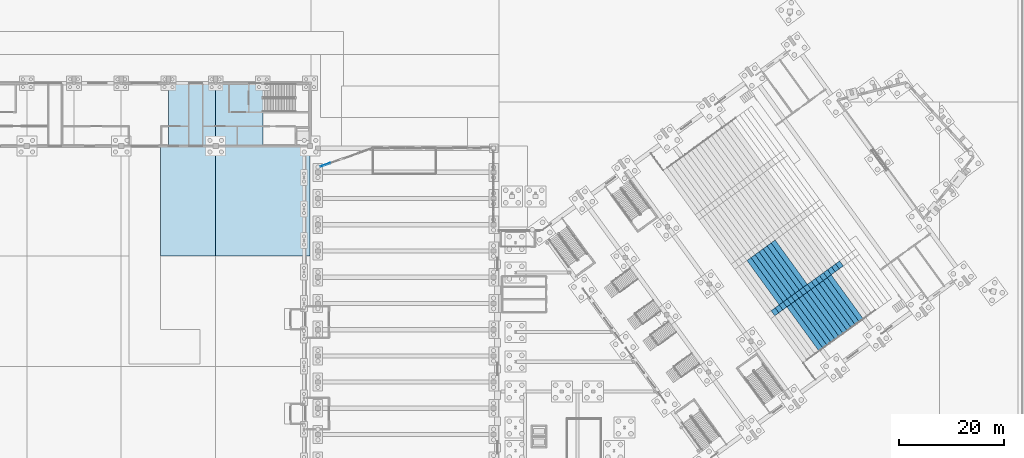
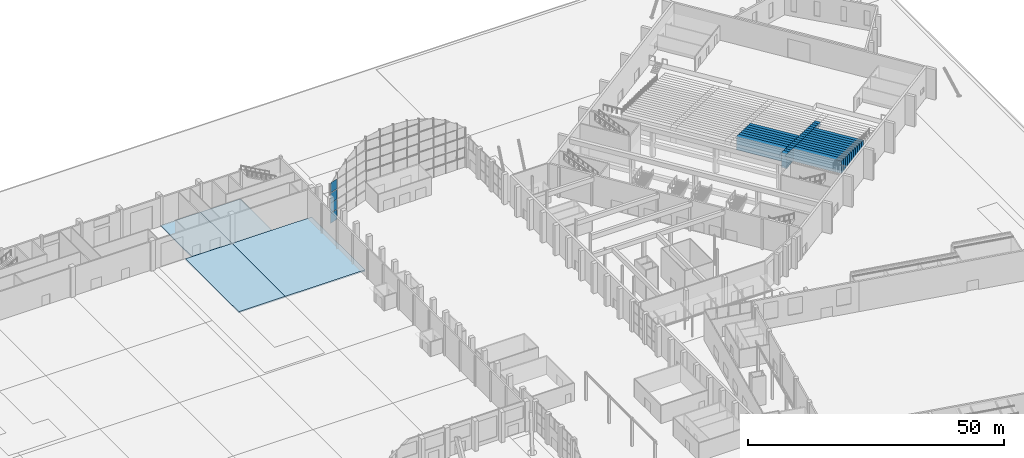
# One storey, part 158 of 239: 39 slabs, 4 plates, 1 element without a shape of its own.
"""IFC4 building model written with IfcOpenShell, lengths in metres."""

from ifc_helpers import new_model, si_unit, direction, frame, origin, place, context, subcontext, project, spatial, polyline, outline, extrude, material, layer, layer_set, type_object, element, aggregate, save


model = new_model("IFC4")

# Units and contexts
model_context = context("Model", 3, precision=1e-05, world=origin(), true_north=direction((0.0, 1.0)))
body_context = subcontext(model_context, "Body", "Model", "MODEL_VIEW")
ifc_project = project(units=[si_unit("LENGTHUNIT", "METRE"), si_unit("AREAUNIT", "SQUARE_METRE"), si_unit("VOLUMEUNIT", "CUBIC_METRE"), si_unit("PLANEANGLEUNIT", "RADIAN"), si_unit("MASSUNIT", "GRAM", prefix="KILO")], contexts=[model_context])

# Site, building, storey
site_placement = place(None, origin())
site = spatial("IfcSite", under=ifc_project, at=site_placement, CompositionType="ELEMENT")
building_placement = place(site_placement, origin())
building = spatial("IfcBuilding", under=site, at=building_placement, Name="Okhra Congress Centre", CompositionType="ELEMENT")
storey_placement = place(building_placement, origin())
storey = spatial("IfcBuildingStorey", under=building, at=storey_placement, Name="L00", CompositionType="ELEMENT", Elevation=0.0)

# Slabs
ifc_material_1 = material(Name="Precast concrete C40/50", Category="concrete")
slab_type_1 = type_object("IfcSlabType", Name="Precast RC stalls aisle step unit C40/50", PredefinedType="FLOOR", material=ifc_material_1)
slab_1_placement = place(storey_placement, origin())
element("IfcSlab", 1, at=slab_1_placement, inside=storey, type_object=slab_type_1, Name="Stalls aisle step unit 5.2", PredefinedType="FLOOR", context=body_context, shape_type="SweptSolid", body=[
    extrude(outline(polyline([(254.917236328125, 192.58203125), (255.685791015625, 193.140380859375), (254.980224609375, 194.111083984375), (254.211669921875, 193.552734375), (254.917236328125, 192.58203125)])), origin(), (0.0, 0.0, 1.0), 0.818115234375),
])
slab_2_placement = place(storey_placement, origin())
element("IfcSlab", 2, at=slab_2_placement, inside=storey, type_object=slab_type_1, Name="Stalls aisle step unit 6.2", PredefinedType="FLOOR", context=body_context, shape_type="SweptSolid", body=[
    extrude(outline(polyline([(254.1484375, 192.0234375), (254.917236328125, 192.58203125), (254.211669921875, 193.552734375), (253.443115234375, 192.994384765625), (254.1484375, 192.0234375)])), origin(), (0.0, 0.0, 1.0), 0.98193359375),
])
slab_3_placement = place(storey_placement, origin())
element("IfcSlab", 3, at=slab_3_placement, inside=storey, type_object=slab_type_1, Name="Stalls aisle step unit 7.2", PredefinedType="FLOOR", context=body_context, shape_type="SweptSolid", body=[
    extrude(outline(polyline([(253.3798828125, 191.465087890625), (254.1484375, 192.0234375), (253.443115234375, 192.994384765625), (252.674560546875, 192.43603515625), (253.3798828125, 191.465087890625)])), origin(), (0.0, 0.0, 1.0), 1.1455078125),
])
slab_4_placement = place(storey_placement, origin())
element("IfcSlab", 4, at=slab_4_placement, inside=storey, type_object=slab_type_1, Name="Stalls aisle step unit 8.2", PredefinedType="FLOOR", context=body_context, shape_type="SweptSolid", body=[
    extrude(outline(polyline([(252.611328125, 190.90673828125), (253.3798828125, 191.465087890625), (252.674560546875, 192.43603515625), (251.906005859375, 191.87744140625), (252.611328125, 190.90673828125)])), origin(), (0.0, 0.0, 1.0), 1.30908203125),
])
slab_5_placement = place(storey_placement, origin())
element("IfcSlab", 5, at=slab_5_placement, inside=storey, type_object=slab_type_1, Name="Stalls aisle step unit 9.2", PredefinedType="FLOOR", context=body_context, shape_type="SweptSolid", body=[
    extrude(outline(polyline([(251.8427734375, 190.348388671875), (252.611328125, 190.90673828125), (251.906005859375, 191.87744140625), (251.137451171875, 191.319091796875), (251.8427734375, 190.348388671875)])), origin(), (0.0, 0.0, 1.0), 1.47265625),
])
slab_6_placement = place(storey_placement, origin())
element("IfcSlab", 6, at=slab_6_placement, inside=storey, type_object=slab_type_1, Name="Stalls aisle step unit 10.2", PredefinedType="FLOOR", context=body_context, shape_type="SweptSolid", body=[
    extrude(outline(polyline([(251.07421875, 189.7900390625), (251.8427734375, 190.348388671875), (251.137451171875, 191.319091796875), (250.368896484375, 190.7607421875), (251.07421875, 189.7900390625)])), origin(), (0.0, 0.0, 1.0), 1.636474609375),
])
slab_7_placement = place(storey_placement, origin())
element("IfcSlab", 7, at=slab_7_placement, inside=storey, type_object=slab_type_1, Name="Stalls aisle step unit 11.2", PredefinedType="FLOOR", context=body_context, shape_type="SweptSolid", body=[
    extrude(outline(polyline([(250.3056640625, 189.2314453125), (251.07421875, 189.7900390625), (250.368896484375, 190.7607421875), (249.600341796875, 190.202392578125), (250.3056640625, 189.2314453125)])), origin(), (0.0, 0.0, 1.0), 1.800048828125),
])
slab_8_placement = place(storey_placement, origin())
element("IfcSlab", 8, at=slab_8_placement, inside=storey, type_object=slab_type_1, Name="Stalls aisle step unit 12.2", PredefinedType="FLOOR", context=body_context, shape_type="SweptSolid", body=[
    extrude(outline(polyline([(249.537109375, 188.673095703125), (250.3056640625, 189.2314453125), (249.600341796875, 190.202392578125), (248.831787109375, 189.64404296875), (249.537109375, 188.673095703125)])), origin(), (0.0, 0.0, 1.0), 1.963623046875),
])
slab_9_placement = place(storey_placement, origin())
element("IfcSlab", 9, at=slab_9_placement, inside=storey, type_object=slab_type_1, Name="Stalls aisle step unit 13.2", PredefinedType="FLOOR", context=body_context, shape_type="SweptSolid", body=[
    extrude(outline(polyline([(248.7685546875, 188.11474609375), (249.537109375, 188.673095703125), (248.831787109375, 189.64404296875), (248.063232421875, 189.08544921875), (248.7685546875, 188.11474609375)])), origin(), (0.0, 0.0, 1.0), 2.127197265625),
])
slab_10_placement = place(storey_placement, origin())
element("IfcSlab", 10, at=slab_10_placement, inside=storey, type_object=slab_type_1, Name="Stalls aisle step unit 14.2", PredefinedType="FLOOR", context=body_context, shape_type="SweptSolid", body=[
    extrude(outline(polyline([(248.0, 187.556396484375), (248.7685546875, 188.11474609375), (248.063232421875, 189.08544921875), (247.294677734375, 188.527099609375), (248.0, 187.556396484375)])), origin(), (0.0, 0.0, 1.0), 2.291015625),
])
slab_11_placement = place(storey_placement, origin())
element("IfcSlab", 11, at=slab_11_placement, inside=storey, type_object=slab_type_1, Name="Stalls aisle step unit 15.2", PredefinedType="FLOOR", context=body_context, shape_type="SweptSolid", body=[
    extrude(outline(polyline([(247.2314453125, 186.998046875), (248.0, 187.556396484375), (247.294677734375, 188.527099609375), (246.526123046875, 187.96875), (247.2314453125, 186.998046875)])), origin(), (0.0, 0.0, 1.0), 2.45458984375),
])
slab_12_placement = place(storey_placement, origin())
element("IfcSlab", 12, at=slab_12_placement, inside=storey, type_object=slab_type_1, Name="Stalls aisle step unit 16.2", PredefinedType="FLOOR", context=body_context, shape_type="SweptSolid", body=[
    extrude(outline(polyline([(246.462890625, 186.439453125), (247.2314453125, 186.998046875), (246.526123046875, 187.96875), (245.757568359375, 187.410400390625), (246.462890625, 186.439453125)])), origin(), (0.0, 0.0, 1.0), 2.6181640625),
])
slab_13_placement = place(storey_placement, origin())
element("IfcSlab", 13, at=slab_13_placement, inside=storey, type_object=slab_type_1, Name="Stalls aisle step unit 17.2", PredefinedType="FLOOR", context=body_context, shape_type="SweptSolid", body=[
    extrude(outline(polyline([(245.6943359375, 185.881103515625), (246.462890625, 186.439453125), (245.757568359375, 187.410400390625), (244.989013671875, 186.85205078125), (245.6943359375, 185.881103515625)])), origin(), (0.0, 0.0, 1.0), 2.78173828125),
])
slab_14_placement = place(storey_placement, origin())
element("IfcSlab", 14, at=slab_14_placement, inside=storey, type_object=slab_type_1, Name="Stalls aisle step unit 18.2", PredefinedType="FLOOR", context=body_context, shape_type="SweptSolid", body=[
    extrude(outline(polyline([(244.92578125, 185.32275390625), (245.6943359375, 185.881103515625), (244.989013671875, 186.85205078125), (244.220458984375, 186.293701171875), (244.92578125, 185.32275390625)])), origin(), (0.0, 0.0, 1.0), 2.945556640625),
])
slab_15_placement = place(storey_placement, origin())
element("IfcSlab", 15, at=slab_15_placement, inside=storey, type_object=slab_type_1, Name="Stalls aisle step unit 19.2", PredefinedType="FLOOR", context=body_context, shape_type="SweptSolid", body=[
    extrude(outline(polyline([(244.1572265625, 184.764404296875), (244.92578125, 185.32275390625), (244.220458984375, 186.293701171875), (243.451904296875, 185.735107421875), (244.1572265625, 184.764404296875)])), origin(), (0.0, 0.0, 1.0), 3.109130859375),
])
slab_16_placement = place(storey_placement, origin())
element("IfcSlab", 16, at=slab_16_placement, inside=storey, type_object=slab_type_1, Name="Stalls aisle step unit 20.2", PredefinedType="FLOOR", context=body_context, shape_type="SweptSolid", body=[
    extrude(outline(polyline([(243.388671875, 184.2060546875), (244.1572265625, 184.764404296875), (243.451904296875, 185.735107421875), (242.683349609375, 185.1767578125), (243.388671875, 184.2060546875)])), origin(), (0.0, 0.0, 1.0), 3.272705078125),
])
slab_17_placement = place(storey_placement, origin())
element("IfcSlab", 17, at=slab_17_placement, inside=storey, type_object=slab_type_1, Name="Stalls aisle step unit 21.2", PredefinedType="FLOOR", context=body_context, shape_type="SweptSolid", body=[
    extrude(outline(polyline([(242.6201171875, 183.6474609375), (243.388671875, 184.2060546875), (242.683349609375, 185.1767578125), (241.914794921875, 184.618408203125), (242.6201171875, 183.6474609375)])), origin(), (0.0, 0.0, 1.0), 3.436279296875),
])
ifc_material_2 = material(Name="Precast concrete C35/45", Category="concrete")
slab_type_2 = type_object("IfcSlabType", Name="Precast RC stalls seat-row step unit C35/45", PredefinedType="FLOOR", material=ifc_material_2)
slab_18_placement = place(storey_placement, origin())
element("IfcSlab", 18, at=slab_18_placement, inside=storey, type_object=slab_type_2, Name="Stalls seat-row step unit 8.1", PredefinedType="FLOOR", context=body_context, shape_type="SweptSolid", body=[
    extrude(outline(polyline([(258.753662109375, 182.452392578125), (259.5224609375, 183.010986328125), (253.3798828125, 191.465087890625), (252.611328125, 190.90673828125), (258.753662109375, 182.452392578125)])), origin(), (0.0, 0.0, 1.0), 1.30908203125),
])
slab_19_placement = place(storey_placement, origin())
element("IfcSlab", 19, at=slab_19_placement, inside=storey, type_object=slab_type_2, Name="Stalls seat-row step unit 9.1", PredefinedType="FLOOR", context=body_context, shape_type="SweptSolid", body=[
    extrude(outline(polyline([(257.985107421875, 181.89404296875), (258.753662109375, 182.452392578125), (252.611328125, 190.90673828125), (251.8427734375, 190.348388671875), (257.985107421875, 181.89404296875)])), origin(), (0.0, 0.0, 1.0), 1.47265625),
])
slab_20_placement = place(storey_placement, origin())
element("IfcSlab", 20, at=slab_20_placement, inside=storey, type_object=slab_type_2, Name="Stalls seat-row step unit 10.1", PredefinedType="FLOOR", context=body_context, shape_type="SweptSolid", body=[
    extrude(outline(polyline([(257.216552734375, 181.335693359375), (257.985107421875, 181.89404296875), (251.8427734375, 190.348388671875), (251.07421875, 189.7900390625), (257.216552734375, 181.335693359375)])), origin(), (0.0, 0.0, 1.0), 1.636474609375),
])
slab_21_placement = place(storey_placement, origin())
element("IfcSlab", 21, at=slab_21_placement, inside=storey, type_object=slab_type_2, Name="Stalls seat-row step unit 11.1", PredefinedType="FLOOR", context=body_context, shape_type="SweptSolid", body=[
    extrude(outline(polyline([(256.447998046875, 180.77734375), (257.216552734375, 181.335693359375), (251.07421875, 189.7900390625), (250.3056640625, 189.2314453125), (256.447998046875, 180.77734375)])), origin(), (0.0, 0.0, 1.0), 1.800048828125),
])
slab_22_placement = place(storey_placement, origin())
element("IfcSlab", 22, at=slab_22_placement, inside=storey, type_object=slab_type_2, Name="Stalls seat-row step unit 12.1", PredefinedType="FLOOR", context=body_context, shape_type="SweptSolid", body=[
    extrude(outline(polyline([(255.679443359375, 180.218994140625), (256.447998046875, 180.77734375), (250.3056640625, 189.2314453125), (249.537109375, 188.673095703125), (255.679443359375, 180.218994140625)])), origin(), (0.0, 0.0, 1.0), 1.963623046875),
])
slab_23_placement = place(storey_placement, origin())
element("IfcSlab", 23, at=slab_23_placement, inside=storey, type_object=slab_type_2, Name="Stalls seat-row step unit 13.1", PredefinedType="FLOOR", context=body_context, shape_type="SweptSolid", body=[
    extrude(outline(polyline([(254.910888671875, 179.66064453125), (255.679443359375, 180.218994140625), (249.537109375, 188.673095703125), (248.7685546875, 188.11474609375), (254.910888671875, 179.66064453125)])), origin(), (0.0, 0.0, 1.0), 2.127197265625),
])
slab_24_placement = place(storey_placement, origin())
element("IfcSlab", 24, at=slab_24_placement, inside=storey, type_object=slab_type_2, Name="Stalls seat-row step unit 13.3", PredefinedType="FLOOR", context=body_context, shape_type="SweptSolid", body=[
    extrude(outline(polyline([(248.063232421875, 189.08544921875), (248.831787109375, 189.64404296875), (242.689453125, 198.09814453125), (241.9208984375, 197.539794921875), (248.063232421875, 189.08544921875)])), origin(), (0.0, 0.0, 1.0), 2.127197265625),
])
slab_25_placement = place(storey_placement, origin())
element("IfcSlab", 25, at=slab_25_placement, inside=storey, type_object=slab_type_2, Name="Stalls seat-row step unit 14.1", PredefinedType="FLOOR", context=body_context, shape_type="SweptSolid", body=[
    extrude(outline(polyline([(254.142333984375, 179.10205078125), (254.910888671875, 179.66064453125), (248.7685546875, 188.11474609375), (248.0, 187.556396484375), (254.142333984375, 179.10205078125)])), origin(), (0.0, 0.0, 1.0), 2.291015625),
])
slab_26_placement = place(storey_placement, origin())
element("IfcSlab", 26, at=slab_26_placement, inside=storey, type_object=slab_type_2, Name="Stalls seat-row step unit 14.3", PredefinedType="FLOOR", context=body_context, shape_type="SweptSolid", body=[
    extrude(outline(polyline([(247.294677734375, 188.527099609375), (248.063232421875, 189.08544921875), (241.9208984375, 197.539794921875), (241.15234375, 196.9814453125), (247.294677734375, 188.527099609375)])), origin(), (0.0, 0.0, 1.0), 2.291015625),
])
slab_27_placement = place(storey_placement, origin())
element("IfcSlab", 27, at=slab_27_placement, inside=storey, type_object=slab_type_2, Name="Stalls seat-row step unit 15.1", PredefinedType="FLOOR", context=body_context, shape_type="SweptSolid", body=[
    extrude(outline(polyline([(253.373779296875, 178.543701171875), (254.142333984375, 179.10205078125), (248.0, 187.556396484375), (247.2314453125, 186.998046875), (253.373779296875, 178.543701171875)])), origin(), (0.0, 0.0, 1.0), 2.45458984375),
])
slab_28_placement = place(storey_placement, origin())
element("IfcSlab", 28, at=slab_28_placement, inside=storey, type_object=slab_type_2, Name="Stalls seat-row step unit 15.3", PredefinedType="FLOOR", context=body_context, shape_type="SweptSolid", body=[
    extrude(outline(polyline([(246.526123046875, 187.96875), (247.294677734375, 188.527099609375), (241.15234375, 196.9814453125), (240.3837890625, 196.423095703125), (246.526123046875, 187.96875)])), origin(), (0.0, 0.0, 1.0), 2.45458984375),
])
slab_29_placement = place(storey_placement, origin())
element("IfcSlab", 29, at=slab_29_placement, inside=storey, type_object=slab_type_2, Name="Stalls seat-row step unit 16.1", PredefinedType="FLOOR", context=body_context, shape_type="SweptSolid", body=[
    extrude(outline(polyline([(252.605224609375, 177.9853515625), (253.373779296875, 178.543701171875), (247.2314453125, 186.998046875), (246.462890625, 186.439453125), (252.605224609375, 177.9853515625)])), origin(), (0.0, 0.0, 1.0), 2.6181640625),
])
slab_30_placement = place(storey_placement, origin())
element("IfcSlab", 30, at=slab_30_placement, inside=storey, type_object=slab_type_2, Name="Stalls seat-row step unit 16.3", PredefinedType="FLOOR", context=body_context, shape_type="SweptSolid", body=[
    extrude(outline(polyline([(245.757568359375, 187.410400390625), (246.526123046875, 187.96875), (240.3837890625, 196.423095703125), (239.615234375, 195.864501953125), (245.757568359375, 187.410400390625)])), origin(), (0.0, 0.0, 1.0), 2.6181640625),
])
slab_31_placement = place(storey_placement, origin())
element("IfcSlab", 31, at=slab_31_placement, inside=storey, type_object=slab_type_2, Name="Stalls seat-row step unit 17.1", PredefinedType="FLOOR", context=body_context, shape_type="SweptSolid", body=[
    extrude(outline(polyline([(251.836669921875, 177.427001953125), (252.605224609375, 177.9853515625), (246.462890625, 186.439453125), (245.6943359375, 185.881103515625), (251.836669921875, 177.427001953125)])), origin(), (0.0, 0.0, 1.0), 2.78173828125),
])
slab_32_placement = place(storey_placement, origin())
element("IfcSlab", 32, at=slab_32_placement, inside=storey, type_object=slab_type_2, Name="Stalls seat-row step unit 17.3", PredefinedType="FLOOR", context=body_context, shape_type="SweptSolid", body=[
    extrude(outline(polyline([(244.989013671875, 186.85205078125), (245.757568359375, 187.410400390625), (239.615234375, 195.864501953125), (238.8466796875, 195.30615234375), (244.989013671875, 186.85205078125)])), origin(), (0.0, 0.0, 1.0), 2.78173828125),
])
slab_33_placement = place(storey_placement, origin())
element("IfcSlab", 33, at=slab_33_placement, inside=storey, type_object=slab_type_2, Name="Stalls seat-row step unit 18.1", PredefinedType="FLOOR", context=body_context, shape_type="SweptSolid", body=[
    extrude(outline(polyline([(251.068115234375, 176.86865234375), (251.836669921875, 177.427001953125), (245.6943359375, 185.881103515625), (244.92578125, 185.32275390625), (251.068115234375, 176.86865234375)])), origin(), (0.0, 0.0, 1.0), 2.945556640625),
])
slab_34_placement = place(storey_placement, origin())
element("IfcSlab", 34, at=slab_34_placement, inside=storey, type_object=slab_type_2, Name="Stalls seat-row step unit 18.3", PredefinedType="FLOOR", context=body_context, shape_type="SweptSolid", body=[
    extrude(outline(polyline([(244.220458984375, 186.293701171875), (244.989013671875, 186.85205078125), (238.8466796875, 195.30615234375), (238.078125, 194.747802734375), (244.220458984375, 186.293701171875)])), origin(), (0.0, 0.0, 1.0), 2.945556640625),
])
slab_35_placement = place(storey_placement, origin())
element("IfcSlab", 35, at=slab_35_placement, inside=storey, type_object=slab_type_2, Name="Stalls seat-row step unit 19.3", PredefinedType="FLOOR", context=body_context, shape_type="SweptSolid", body=[
    extrude(outline(polyline([(243.451904296875, 185.735107421875), (244.220458984375, 186.293701171875), (238.078125, 194.747802734375), (237.3095703125, 194.189453125), (243.451904296875, 185.735107421875)])), origin(), (0.0, 0.0, 1.0), 3.109130859375),
])
ifc_material_3 = material(Name="Concrete C25/30", Category="concrete")
ifc_layer_1 = layer(ifc_material_3, 0.300048828125)
ifc_layer_set_1 = layer_set([ifc_layer_1], Name="RC ground slab 300 C25/30")
slab_type_3 = type_object("IfcSlabType", Name="RC ground slab 300 C25/30", PredefinedType="BASESLAB", material=ifc_layer_set_1)
slab_36_placement = place(storey_placement, frame((0.0, 0.0, -0.300048828125)))
element("IfcSlab", 36, at=slab_36_placement, inside=storey, type_object=slab_type_3, Name="EH.SLAB.L00.H27", PredefinedType="BASESLAB", context=body_context, shape_type="SweptSolid", body=[
    extrude(outline(polyline([(125.5, 215.85009765625), (125.5, 195.0), (136.0, 195.0), (136.0, 215.85009765625), (125.5, 215.85009765625)])), origin(), (0.0, 0.0, 1.0), 0.300048828125),
])
slab_37_placement = place(storey_placement, frame((0.0, 0.0, -0.300048828125)))
element("IfcSlab", 37, at=slab_37_placement, inside=storey, type_object=slab_type_3, Name="EH.SLAB.L00.H31", PredefinedType="BASESLAB", context=body_context, shape_type="SweptSolid", body=[
    extrude(outline(polyline([(136.0, 195.0), (154.0, 195.0), (154.0, 215.85009765625), (136.0, 215.85009765625), (136.0, 195.0)])), origin(), (0.0, 0.0, 1.0), 0.300048828125),
])
slab_38_placement = place(storey_placement, frame((0.0, 0.0, -0.300048828125)))
element("IfcSlab", 38, at=slab_38_placement, inside=storey, type_object=slab_type_3, Name="EH.SLAB.L00.K12", PredefinedType="BASESLAB", context=body_context, shape_type="SweptSolid", body=[
    extrude(outline(polyline([(127.0, 215.85009765625), (136.0, 215.85009765625), (136.0, 228.175048828125), (127.0, 228.175048828125), (127.0, 215.85009765625)])), origin(), (0.0, 0.0, 1.0), 0.300048828125),
])
slab_39_placement = place(storey_placement, frame((0.0, 0.0, -0.300048828125)))
element("IfcSlab", 39, at=slab_39_placement, inside=storey, type_object=slab_type_3, Name="EH.SLAB.L00.K13", PredefinedType="BASESLAB", context=body_context, shape_type="SweptSolid", body=[
    extrude(outline(polyline([(136.0, 215.85009765625), (145.0, 215.85009765625), (145.0, 228.175048828125), (136.0, 228.175048828125), (136.0, 215.85009765625)])), origin(), (0.0, 0.0, 1.0), 0.300048828125),
])

# Curtain wall, plates
ifc_material_4 = material(Name="Aluminium frame with triple glazing", Category="aluminium")
curtain_wall_type = type_object("IfcCurtainWallType", Name="Glazed gable curtain wall", PredefinedType="NOTDEFINED", material=ifc_material_4)
curtain_wall_placement = place(storey_placement, origin())
curtain_wall = element("IfcCurtainWall", 40, at=curtain_wall_placement, inside=storey, type_object=curtain_wall_type, Name="North gable glazing west", PredefinedType="NOTDEFINED")
ifc_material_5 = material(Name="Toughened triple glazed unit")
ifc_layer_2 = layer(ifc_material_5, 0.028076171875)
ifc_layer_set_2 = layer_set([ifc_layer_2], Name="Triple glazed unit 28 mm")
plate_type = type_object("IfcPlateType", Name="Triple glazed unit 28 mm", PredefinedType="CURTAIN_PANEL", material=ifc_layer_set_2)
plate_1_placement = place(storey_placement, frame((157.89111328125, 212.73388671875, 0.030029296875), z_axis=(-0.330350424728, 0.943858356366, 0.0), x_axis=(-0.943858356366, -0.330350424728, 0.0)))
plate_1 = element("IfcPlate", 41, at=plate_1_placement, type_object=plate_type, Name="North gable glazing west glass panel 1.1", PredefinedType="CURTAIN_PANEL", context=body_context, shape_type="SweptSolid", body=[
    extrude(outline(polyline([(0.0, 0.0), (1.9399676605606468, 0.0), (1.9399676605606468, 2.340087890625), (0.0, 2.340087890625), (0.0, 0.0)])), origin(), (0.0, 0.0, -1.0), 0.028076171875),
])
plate_2_placement = place(storey_placement, frame((157.89111328125, 212.789794921875, 2.429931640625), z_axis=(-0.330350424728, 0.943858356366, 0.0), x_axis=(-0.943858356366, -0.330350424728, 0.0)))
plate_2 = element("IfcPlate", 42, at=plate_2_placement, type_object=plate_type, Name="North gable glazing west glass panel 1.2", PredefinedType="CURTAIN_PANEL", context=body_context, shape_type="SweptSolid", body=[
    extrude(outline(polyline([(0.0, 0.0), (1.9399676605606468, 0.0), (1.9399676605606468, 2.340087890625), (0.0, 2.340087890625), (0.0, 0.0)])), origin(), (0.0, 0.0, -1.0), 0.028076171875),
])
plate_3_placement = place(storey_placement, frame((157.89111328125, 212.73388671875, 4.830078125), z_axis=(-0.330350424728, 0.943858356366, 0.0), x_axis=(-0.943858356366, -0.330350424728, 0.0)))
plate_3 = element("IfcPlate", 43, at=plate_3_placement, type_object=plate_type, Name="North gable glazing west glass panel 1.3", PredefinedType="CURTAIN_PANEL", context=body_context, shape_type="SweptSolid", body=[
    extrude(outline(polyline([(0.0, 0.0), (1.9399676605606468, 0.0), (1.9399676605606468, 2.33984375), (0.0, 2.33984375), (0.0, 0.0)])), origin(), (0.0, 0.0, -1.0), 0.028076171875),
])
plate_4_placement = place(storey_placement, frame((157.89111328125, 212.789794921875, 7.22998046875), z_axis=(0.330345168889, -0.943860195155, 3.7338073e-05), x_axis=(-0.943860195813, -0.330345169119, -2.08e-10)))
plate_4 = element("IfcPlate", 44, at=plate_4_placement, type_object=plate_type, Name="North gable glazing west glass panel 1.4", PredefinedType="CURTAIN_PANEL", context=body_context, shape_type="SweptSolid", body=[
    extrude(outline(polyline([(0.0, 0.0), (1.9399676605305725, 0.0), (1.939967660104202, -2.0507812485704706), (1.5945929284625706, -2.3400878954467808), (-4.865190953201844e-10, -2.340087888993805), (0.0, 0.0)])), origin(), (0.0, 0.0, -1.0), 0.028076171875),
])
aggregate(curtain_wall, [plate_1, plate_2, plate_3, plate_4])

save(model, "model.ifc")
